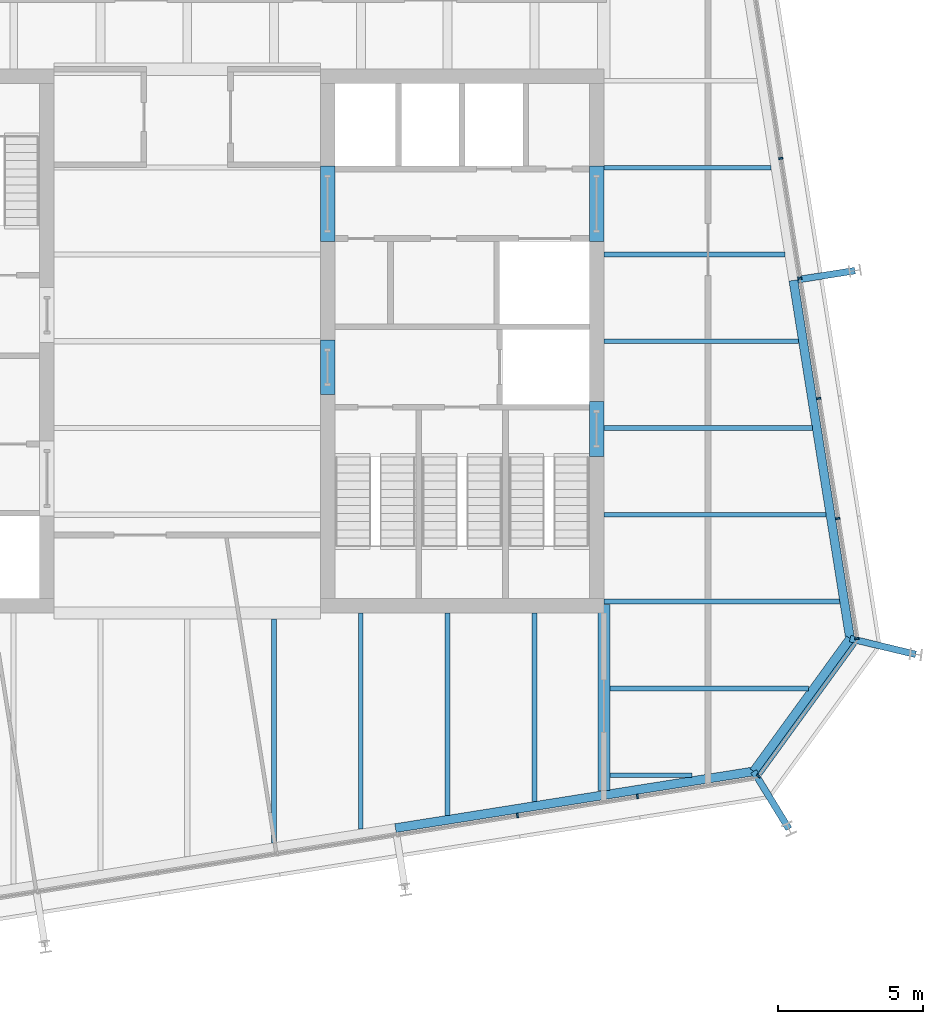
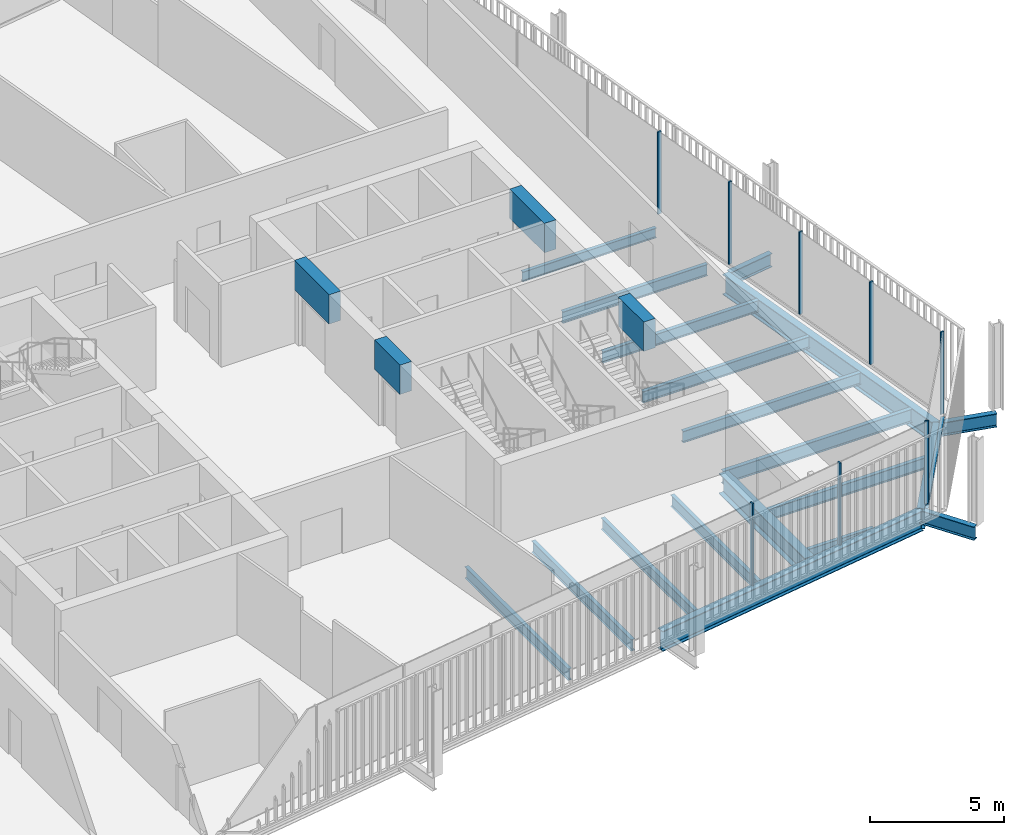
# One storey, part 8 of 20: 23 beams, 9 members, 3 elements without a shape of their own.
"""IFC4 building model written with IfcOpenShell, lengths in metres."""

import ifcopenshell
import ifcopenshell.guid

model = None  # the IFC model being written
_history = None  # IfcOwnerHistory: only IFC2X3 demands one
_inside = {}  # id of a spatial element -> (the spatial element, [elements in it])
_under = {}  # id of a project, library or spatial element -> (it, [spatial elements below it])
_declared = {}  # id of a project -> (the project, [libraries it declares])
_typed = {}  # id of a type object -> (the type object, [elements of that type])
_made_of = {}  # id of a material, layer set ... -> (it, [elements and type objects made of it])


def new_model(schema):
    """Start an empty IFC model of exactly this schema.

    Asked for "IFC4X3", IfcOpenShell would pick the latest addendum, in which some entities
    have other attributes; the version numbers below select the first issue.
    IFC2X3 requires an IfcOwnerHistory on every rooted entity: one is made here for all.
    """
    global model, _history
    if schema == "IFC4X3":
        model = ifcopenshell.file(schema_version=(4, 3, 0, 0))
    else:
        model = ifcopenshell.file(schema=schema)
    _inside.clear()
    _under.clear()
    _declared.clear()
    _typed.clear()
    _made_of.clear()
    _history = None
    if model.schema == "IFC2X3":
        org = make("IfcOrganization", Name="unknown")
        user = make(
            "IfcPersonAndOrganization",
            ThePerson=make("IfcPerson", FamilyName="unknown"),
            TheOrganization=org,
        )
        app = make(
            "IfcApplication",
            ApplicationDeveloper=org,
            Version="unknown",
            ApplicationFullName="unknown",
            ApplicationIdentifier="unknown",
        )
        _history = make(
            "IfcOwnerHistory",
            OwningUser=user,
            OwningApplication=app,
            ChangeAction="ADDED",
            CreationDate=0,
        )
    return model


def make(cls, **values):
    """One entity of the class cls with the attributes given. An attribute that is None is left unset."""
    return model.create_entity(
        cls, **{name: value for name, value in values.items() if value is not None}
    )


def rooted(cls, **values):
    """An entity with a GlobalId (a new one), such as an element, a storey or a relation."""
    return make(cls, GlobalId=ifcopenshell.guid.new(), OwnerHistory=_history, **values)


def si_unit(unit_type, name, prefix=None):
    """IfcSIUnit, for example si_unit("LENGTHUNIT", "METRE", prefix="MILLI")."""
    return make("IfcSIUnit", UnitType=unit_type, Prefix=prefix, Name=name)


def assignment(units):
    """IfcUnitAssignment: the units of a project."""
    return None if units is None else make("IfcUnitAssignment", Units=units)


def point(xyz):
    """IfcCartesianPoint."""
    return None if xyz is None else make("IfcCartesianPoint", Coordinates=xyz)


def direction(xyz):
    """IfcDirection."""
    return None if xyz is None else make("IfcDirection", DirectionRatios=xyz)


def frame(location, z_axis=None, x_axis=None):
    """IfcAxis2Placement3D, a coordinate frame: its origin and axes. An axis left out is left unset."""
    return make(
        "IfcAxis2Placement3D",
        Location=point(location),
        Axis=direction(z_axis),
        RefDirection=direction(x_axis),
    )


def frame_2d(location, x_axis=None):
    """IfcAxis2Placement2D, a coordinate frame in the plane: its origin and x axis."""
    return make(
        "IfcAxis2Placement2D", Location=point(location), RefDirection=direction(x_axis)
    )


def origin():
    """The frame at (0, 0, 0) with its axes left unset."""
    return frame((0.0, 0.0, 0.0))


def origin_2d():
    """The frame at (0, 0) in the plane with its x axis left unset."""
    return frame_2d((0.0, 0.0))


def place(relative_to, where):
    """IfcLocalPlacement: puts the frame where relative to a parent placement (None: the world)."""
    return make(
        "IfcLocalPlacement", PlacementRelTo=relative_to, RelativePlacement=where
    )


def context(
    kind, dimensions, precision=None, world=None, true_north=None, identifier=None
):
    """IfcGeometricRepresentationContext, for example the 3D "Model" context."""
    return make(
        "IfcGeometricRepresentationContext",
        ContextIdentifier=identifier,
        ContextType=kind,
        CoordinateSpaceDimension=dimensions,
        Precision=precision,
        WorldCoordinateSystem=world,
        TrueNorth=true_north,
    )


def subcontext(parent, identifier, kind, view, scale=None):
    """IfcGeometricRepresentationSubContext, for example "Body" below "Model"."""
    return make(
        "IfcGeometricRepresentationSubContext",
        ContextIdentifier=identifier,
        ContextType=kind,
        ParentContext=parent,
        TargetScale=scale,
        TargetView=view,
    )


def project(units=None, contexts=None):
    """IfcProject with its units and contexts."""
    return rooted(
        "IfcProject",
        Name="project",
        RepresentationContexts=contexts,
        UnitsInContext=assignment(units),
    )


def spatial(cls, under=None, at=None, **own):
    """A site, building, storey or space (cls), placed at a placement, below another one or the project."""
    s = rooted(cls, ObjectPlacement=at, **own)
    if under is not None:
        _under.setdefault(under.id(), (under, []))[1].append(s)
    return s


def profile(cls, at=None, kind="AREA", **sizes):
    """A parametric profile (cls). Its sizes go by their IFC names, for example OverallWidth=200.0."""
    return make(cls, ProfileType=kind, Position=at, **sizes)


def rectangle(**sizes):
    """IfcRectangleProfileDef."""
    return profile("IfcRectangleProfileDef", **sizes)


def i_section(**sizes):
    """IfcIShapeProfileDef."""
    return profile("IfcIShapeProfileDef", **sizes)


def extrude(swept, where, along, depth):
    """IfcExtrudedAreaSolid: the profile swept, set in the frame where, extruded along a direction by depth."""
    return make(
        "IfcExtrudedAreaSolid",
        SweptArea=swept,
        Position=where,
        ExtrudedDirection=direction(along),
        Depth=depth,
    )


def shape(context_of_items, identifier, shape_type, items):
    """IfcShapeRepresentation: the items that make up one representation, for example the "Body"."""
    return make(
        "IfcShapeRepresentation",
        ContextOfItems=context_of_items,
        RepresentationIdentifier=identifier,
        RepresentationType=shape_type,
        Items=items,
    )


def material(Name=None, Category=None):
    """IfcMaterial."""
    return make("IfcMaterial", Name=Name, Category=Category)


def layer(
    of_material, thickness, ventilated=None, Name=None, Category=None, Priority=None
):
    """IfcMaterialLayer: one layer of a wall or slab, of a material (None: an air gap)."""
    return make(
        "IfcMaterialLayer",
        Material=of_material,
        LayerThickness=thickness,
        IsVentilated=ventilated,
        Name=Name,
        Category=Category,
        Priority=Priority,
    )


def layer_set(layers, Name=None):
    """IfcMaterialLayerSet."""
    return make("IfcMaterialLayerSet", MaterialLayers=layers, LayerSetName=Name)


def material_profile(
    of_material, cross_section, Name=None, Category=None, Priority=None
):
    """IfcMaterialProfile: a cross section and its material."""
    return make(
        "IfcMaterialProfile",
        Name=Name,
        Material=of_material,
        Profile=cross_section,
        Priority=Priority,
        Category=Category,
    )


def profile_set(profiles, Name=None, composite=None):
    """IfcMaterialProfileSet."""
    return make(
        "IfcMaterialProfileSet",
        Name=Name,
        MaterialProfiles=profiles,
        CompositeProfile=composite,
    )


def made_of(thing, what):
    """Note that an element or type object is made of a material, layer set ...; save() writes the relation."""
    if what is not None:
        _made_of.setdefault(what.id(), (what, []))[1].append(thing)
    return thing


def type_object(cls, material=None, **own):
    """A type object (cls), such as IfcWallType, which elements share."""
    return made_of(rooted(cls, **own), material)


def element(
    cls,
    number,
    at=None,
    inside=None,
    cuts=None,
    type_object=None,
    material=None,
    context=None,
    identifier="Body",
    shape_type=None,
    held_by="IfcProductDefinitionShape",
    body=None,
    shapes=None,
    **own,
):
    """One element of the class cls, such as IfcWall. Its Tag is "e" and its number.

    at: its placement. inside: the storey or other place that contains it. cuts: it is an
    opening in that element (IfcRelVoidsElement). A single representation is given by context,
    identifier, shape_type and body (its items); several are given by shapes. held_by: the class
    of the entity that holds the representations. save() writes the other relations.
    """
    e = rooted(cls, Tag="e%d" % number, ObjectPlacement=at, **own)
    if body is not None:
        shapes = [shape(context, identifier, shape_type, body)]
    if shapes is not None:
        e.Representation = make(held_by, Representations=shapes)
    if inside is not None:
        _inside.setdefault(inside.id(), (inside, []))[1].append(e)
    if cuts is not None:
        rooted(
            "IfcRelVoidsElement", RelatingBuildingElement=cuts, RelatedOpeningElement=e
        )
    if type_object is not None:
        _typed.setdefault(type_object.id(), (type_object, []))[1].append(e)
    return made_of(e, material)


def aggregate(whole, parts):
    """IfcRelAggregates: a whole, such as a stair, and the parts it consists of."""
    return rooted("IfcRelAggregates", RelatingObject=whole, RelatedObjects=parts)


def save(model, path):
    """Write the relations noted so far, then the file.

    IfcRelAggregates (storeys below a building ...), IfcRelContainedInSpatialStructure (elements
    in a storey), IfcRelDefinesByType, IfcRelAssociatesMaterial and IfcRelDeclares: one each for
    every whole, place, type object, material and project.
    """
    for whole, parts in _under.values():
        aggregate(whole, parts)
    for where, things in _inside.values():
        rooted(
            "IfcRelContainedInSpatialStructure",
            RelatedElements=things,
            RelatingStructure=where,
        )
    for kind, things in _typed.values():
        rooted("IfcRelDefinesByType", RelatedObjects=things, RelatingType=kind)
    for what, things in _made_of.values():
        rooted("IfcRelAssociatesMaterial", RelatedObjects=things, RelatingMaterial=what)
    for by, libraries in _declared.values():
        rooted("IfcRelDeclares", RelatingContext=by, RelatedDefinitions=libraries)
    model.write(path)


model = new_model("IFC4")

# Units and contexts
model_context = context("Model", 3, precision=1e-05, world=origin(), true_north=direction((0.0, 1.0)))
body_context = subcontext(model_context, "Body", "Model", "MODEL_VIEW")
ifc_project = project(units=[si_unit("LENGTHUNIT", "METRE"), si_unit("AREAUNIT", "SQUARE_METRE"), si_unit("VOLUMEUNIT", "CUBIC_METRE"), si_unit("PLANEANGLEUNIT", "RADIAN"), si_unit("MASSUNIT", "GRAM", prefix="KILO")], contexts=[model_context])

# Site, building, storey
site_placement = place(None, origin())
site = spatial("IfcSite", under=ifc_project, at=site_placement, CompositionType="ELEMENT")
building_placement = place(site_placement, origin())
building = spatial("IfcBuilding", under=site, at=building_placement, Name="Millrace Tower", CompositionType="ELEMENT")
storey_placement = place(building_placement, frame((0.0, 0.0, 251.300048828125)))
storey = spatial("IfcBuildingStorey", under=building, at=storey_placement, Name="L57", CompositionType="ELEMENT", Elevation=251.300048828125)

# Curtain wall, members
ifc_material_1 = material(Name="Aluminium and glass", Category="aluminium")
ifc_layer = layer(ifc_material_1, 0.14990234375)
ifc_layer_set = layer_set([ifc_layer], Name="Aluminium and glass")
curtain_wall_type = type_object("IfcCurtainWallType", Name="CW-1 office vision curtain wall", PredefinedType="NOTDEFINED", material=ifc_layer_set)
placement = place(storey_placement, origin())
curtain_wall_1 = element("IfcCurtainWall", 1, at=placement, inside=storey, type_object=curtain_wall_type, Name="Curtain wall D-F02 L57", PredefinedType="NOTDEFINED")
ifc_material_2 = material(Name="Aluminium", Category="aluminium")
ifc_material_profile_1 = material_profile(ifc_material_2, rectangle(XDim=0.06494140625, YDim=0.14990234375, at=origin_2d()))
ifc_profile_set_1 = profile_set([ifc_material_profile_1], Name="Aluminium")
member_type_1 = type_object("IfcMemberType", Name="CW-1 office vision curtain wall mullion", PredefinedType="MULLION", material=ifc_profile_set_1)
member_1_placement = place(storey_placement, frame((11.41259765625, -16.393310546875, 0.139892578125), z_axis=(0.0, 0.0, 1.0), x_axis=(0.987688339511, 0.156434471884, 0.0)))
member_1 = element("IfcMember", 2, at=member_1_placement, type_object=member_type_1, Name="CW1 mullion D-F02.8", PredefinedType="MULLION", context=body_context, shape_type="SweptSolid", body=[
    extrude(rectangle(XDim=0.06494140625, YDim=0.14990234375, at=origin_2d()), origin(), (0.0, 0.0, 1.0), 3.760009765625),
])
member_2_placement = place(storey_placement, frame((15.560791015625, -15.736328125, 0.139892578125), z_axis=(0.0, 0.0, 1.0), x_axis=(0.987688339511, 0.156434471884, 0.0)))
member_2 = element("IfcMember", 3, at=member_2_placement, type_object=member_type_1, Name="CW1 mullion D-F02.9", PredefinedType="MULLION", context=body_context, shape_type="SweptSolid", body=[
    extrude(rectangle(XDim=0.06494140625, YDim=0.14990234375, at=origin_2d()), origin(), (0.0, 0.0, 1.0), 3.760009765625),
])
aggregate(curtain_wall_1, [member_1, member_2])

# Curtain wall, member
curtain_wall_2 = element("IfcCurtainWall", 4, at=placement, inside=storey, type_object=curtain_wall_type, Name="Curtain wall D-F03 L57", PredefinedType="NOTDEFINED")
member_3_placement = place(storey_placement, frame((19.7451171875, -15.028076171875, 0.139892578125), z_axis=(0.0, 0.0, 1.0), x_axis=(0.587785305991, 0.809016955361, 0.0)))
member_3 = element("IfcMember", 5, at=member_3_placement, type_object=member_type_1, Name="CW1 mullion D-F03.1", PredefinedType="MULLION", context=body_context, shape_type="SweptSolid", body=[
    extrude(rectangle(XDim=0.06494140625, YDim=0.14990234375, at=origin_2d()), origin(), (0.0, 0.0, 1.0), 3.760009765625),
])

# Curtain wall, members
curtain_wall_3 = element("IfcCurtainWall", 6, at=placement, inside=storey, type_object=curtain_wall_type, Name="Curtain wall D-F04 L57", PredefinedType="NOTDEFINED")
member_4_placement = place(storey_placement, frame((23.142333984375, -10.275390625, 0.139892578125), z_axis=(0.0, 0.0, 1.0), x_axis=(-0.156434471884, 0.987688339511, 0.0)))
member_4 = element("IfcMember", 7, at=member_4_placement, type_object=member_type_1, Name="CW1 mullion D-F04.1", PredefinedType="MULLION", context=body_context, shape_type="SweptSolid", body=[
    extrude(rectangle(XDim=0.06494140625, YDim=0.14990234375, at=origin_2d()), origin(), (0.0, 0.0, 1.0), 3.760009765625),
])
member_5_placement = place(storey_placement, frame((22.4853515625, -6.127197265625, 0.139892578125), z_axis=(0.0, 0.0, 1.0), x_axis=(-0.156434471884, 0.987688339511, 0.0)))
member_5 = element("IfcMember", 8, at=member_5_placement, type_object=member_type_1, Name="CW1 mullion D-F04.2", PredefinedType="MULLION", context=body_context, shape_type="SweptSolid", body=[
    extrude(rectangle(XDim=0.06494140625, YDim=0.14990234375, at=origin_2d()), origin(), (0.0, 0.0, 1.0), 3.760009765625),
])
member_6_placement = place(storey_placement, frame((21.828369140625, -1.97900390625, 0.139892578125), z_axis=(0.0, 0.0, 1.0), x_axis=(-0.156434471884, 0.987688339511, 0.0)))
member_6 = element("IfcMember", 9, at=member_6_placement, type_object=member_type_1, Name="CW1 mullion D-F04.3", PredefinedType="MULLION", context=body_context, shape_type="SweptSolid", body=[
    extrude(rectangle(XDim=0.06494140625, YDim=0.14990234375, at=origin_2d()), origin(), (0.0, 0.0, 1.0), 3.760009765625),
])
member_7_placement = place(storey_placement, frame((21.17138671875, 2.16943359375, 0.139892578125), z_axis=(0.0, 0.0, 1.0), x_axis=(-0.156434471884, 0.987688339511, 0.0)))
member_7 = element("IfcMember", 10, at=member_7_placement, type_object=member_type_1, Name="CW1 mullion D-F04.4", PredefinedType="MULLION", context=body_context, shape_type="SweptSolid", body=[
    extrude(rectangle(XDim=0.06494140625, YDim=0.14990234375, at=origin_2d()), origin(), (0.0, 0.0, 1.0), 3.760009765625),
])
member_8_placement = place(storey_placement, frame((20.514404296875, 6.317626953125, 0.139892578125), z_axis=(0.0, 0.0, 1.0), x_axis=(-0.156434471884, 0.987688339511, 0.0)))
member_8 = element("IfcMember", 11, at=member_8_placement, type_object=member_type_1, Name="CW1 mullion D-F04.5", PredefinedType="MULLION", context=body_context, shape_type="SweptSolid", body=[
    extrude(rectangle(XDim=0.06494140625, YDim=0.14990234375, at=origin_2d()), origin(), (0.0, 0.0, 1.0), 3.760009765625),
])
aggregate(curtain_wall_3, [member_4, member_5, member_6, member_7, member_8])

# Member
ifc_material_3 = material(Name="Aluminium", Category="aluminium")
ifc_material_profile_2 = material_profile(ifc_material_3, rectangle(XDim=0.14990234375, YDim=0.139892578125, at=origin_2d()))
ifc_profile_set_2 = profile_set([ifc_material_profile_2], Name="Aluminium")
member_type_2 = type_object("IfcMemberType", Name="CW-1 office vision curtain wall transom", PredefinedType="USERDEFINED", material=ifc_profile_set_2)
member_9_placement = place(storey_placement, frame((19.78466796875, -14.973388671875, 0.070068359375), z_axis=(0.587811213399, 0.808998131891, 0.0), x_axis=(-0.808998131891, 0.587811213399, 0.0)))
member_9 = element("IfcMember", 12, at=member_9_placement, type_object=member_type_2, Name="CW1 transom D-F03.1", ObjectType="TRANSOM", PredefinedType="USERDEFINED", context=body_context, shape_type="SweptSolid", body=[
    extrude(rectangle(XDim=0.14990234375, YDim=0.139892578125, at=origin_2d()), origin(), (0.0, 0.0, 1.0), 5.598388671875),
])

aggregate(curtain_wall_2, [member_3, member_9])

# Beams
ifc_material_4 = material(Name="Concrete C60", Category="concrete")
ifc_material_profile_3 = material_profile(ifc_material_4, rectangle(XDim=0.5, YDim=1.340087890625, at=origin_2d()))
ifc_profile_set_3 = profile_set([ifc_material_profile_3], Name="Concrete C60")
beam_type_1 = type_object("IfcBeamType", Name="Coupling beam 500 x 1340 Concrete C60, 1300 opening", PredefinedType="BEAM", material=ifc_profile_set_3)
beam_1_placement = place(storey_placement, frame((14.14990234375, -2.080078125, 3.070068359375), z_axis=(0.0, -1.0, 0.0), x_axis=(1.0, 0.0, 0.0)))
element("IfcBeam", 13, at=beam_1_placement, inside=storey, type_object=beam_type_1, Name="Coupling beam E L57", PredefinedType="BEAM", context=body_context, shape_type="SweptSolid", body=[
    extrude(rectangle(XDim=0.5, YDim=1.340087890625, at=origin_2d()), origin(), (0.0, 0.0, 1.0), 1.89990234375),
])
beam_2_placement = place(storey_placement, frame((4.85009765625, 0.050048828125, 3.070068359375), z_axis=(0.0, -1.0, 0.0), x_axis=(1.0, 0.0, 0.0)))
element("IfcBeam", 14, at=beam_2_placement, inside=storey, type_object=beam_type_1, Name="Coupling beam E L57", PredefinedType="BEAM", context=body_context, shape_type="SweptSolid", body=[
    extrude(rectangle(XDim=0.5, YDim=1.340087890625, at=origin_2d()), origin(), (0.0, 0.0, 1.0), 1.900146484375),
])
ifc_material_5 = material(Name="Concrete C60", Category="concrete")
ifc_material_profile_4 = material_profile(ifc_material_5, rectangle(XDim=0.5, YDim=1.340087890625, at=origin_2d()))
ifc_profile_set_4 = profile_set([ifc_material_profile_4], Name="Concrete C60")
beam_type_2 = type_object("IfcBeamType", Name="Coupling beam 500 x 1340 Concrete C60, 2000 opening", PredefinedType="BEAM", material=ifc_profile_set_4)
for number, where, z_axis, x_axis, name in (
    (15, (14.14990234375, 6.050048828125, 3.070068359375), (0.0, -1.0, 0.0), (1.0, 0.0, 0.0), "Coupling beam E L57"),
    (16, (4.85009765625, 6.050048828125, 3.070068359375), (0.0, -1.0, 0.0), (1.0, 0.0, 0.0), "Coupling beam E L57"),
):
    element("IfcBeam", number, at=place(storey_placement, frame(where, z_axis=z_axis, x_axis=x_axis)), inside=storey, type_object=beam_type_2, Name=name, PredefinedType="BEAM", context=body_context, shape_type="SweptSolid", body=[
        extrude(rectangle(XDim=0.5, YDim=1.340087890625, at=origin_2d()), origin(), (0.0, 0.0, 1.0), 2.60009765625),
    ])
ifc_material_6 = material(Name="Steel ASTM A992 Grade 50", Category="steel")
ifc_material_profile_5 = material_profile(ifc_material_6, i_section(OverallWidth=0.15234375, OverallDepth=0.449462890625, WebThickness=0.007568359375, FlangeThickness=0.0107421875, FilletRadius=0.01025390625, at=origin_2d()))
ifc_profile_set_5 = profile_set([ifc_material_profile_5], Name="Steel ASTM A992 Grade 50")
beam_type_3 = type_object("IfcBeamType", Name="Floor beam W18x35", PredefinedType="JOIST", material=ifc_profile_set_5)
beam_3_placement = place(storey_placement, frame((14.39990234375, 6.0, -0.384765625), z_axis=(1.0, 0.0, 0.0), x_axis=(0.0, 1.0, 0.0)))
element("IfcBeam", 17, at=beam_3_placement, inside=storey, type_object=beam_type_3, Name="BM-D-L57-S1-S022", PredefinedType="JOIST", context=body_context, shape_type="SweptSolid", body=[
    extrude(i_section(OverallWidth=0.15234375, OverallDepth=0.449462890625, WebThickness=0.007568359375, FlangeThickness=0.0107421875, FilletRadius=0.01025390625, at=origin_2d()), origin(), (0.0, 0.0, 1.0), 5.777587890625),
])
beam_4_placement = place(storey_placement, frame((14.609619140625, -15.0, -0.384765625), z_axis=(1.0, 0.0, 0.0), x_axis=(0.0, 1.0, 0.0)))
element("IfcBeam", 18, at=beam_4_placement, inside=storey, type_object=beam_type_3, Name="BM-D-L57-S1-S003", PredefinedType="JOIST", context=body_context, shape_type="SweptSolid", body=[
    extrude(i_section(OverallWidth=0.15234375, OverallDepth=0.449462890625, WebThickness=0.007568359375, FlangeThickness=0.0107421875, FilletRadius=0.01025390625, at=origin_2d()), origin(), (0.0, 0.0, 1.0), 2.839599609375),
])
ifc_material_7 = material(Name="Steel ASTM A992 Grade 50", Category="steel")
ifc_material_profile_6 = material_profile(ifc_material_7, i_section(OverallWidth=0.1650390625, OverallDepth=0.52587890625, WebThickness=0.0087890625, FlangeThickness=0.011474609375, FilletRadius=0.0126953125, at=origin_2d()))
ifc_profile_set_6 = profile_set([ifc_material_profile_6], Name="Steel ASTM A992 Grade 50")
beam_type_4 = type_object("IfcBeamType", Name="Floor beam W21x44", PredefinedType="JOIST", material=ifc_profile_set_6)
beam_5_placement = place(storey_placement, frame((14.609619140625, -12.0, -0.4228515625), z_axis=(1.0, 0.0, 0.0), x_axis=(0.0, 1.0, 0.0)))
element("IfcBeam", 19, at=beam_5_placement, inside=storey, type_object=beam_type_4, Name="BM-D-L57-S1-S005", PredefinedType="JOIST", context=body_context, shape_type="SweptSolid", body=[
    extrude(i_section(OverallWidth=0.1650390625, OverallDepth=0.52587890625, WebThickness=0.0087890625, FlangeThickness=0.011474609375, FilletRadius=0.0126953125, at=origin_2d()), origin(), (0.0, 0.0, 1.0), 6.86279296875),
])
beam_6_placement = place(storey_placement, frame((14.39990234375, -6.0, -0.4228515625), z_axis=(1.0, 0.0, 0.0), x_axis=(0.0, 1.0, 0.0)))
element("IfcBeam", 20, at=beam_6_placement, inside=storey, type_object=beam_type_4, Name="BM-D-L57-S1-S010", PredefinedType="JOIST", context=body_context, shape_type="SweptSolid", body=[
    extrude(i_section(OverallWidth=0.1650390625, OverallDepth=0.52587890625, WebThickness=0.0087890625, FlangeThickness=0.011474609375, FilletRadius=0.0126953125, at=origin_2d()), origin(), (0.0, 0.0, 1.0), 7.67822265625),
])
beam_7_placement = place(storey_placement, frame((14.39990234375, -3.0, -0.4228515625), z_axis=(1.0, 0.0, 0.0), x_axis=(0.0, 1.0, 0.0)))
element("IfcBeam", 21, at=beam_7_placement, inside=storey, type_object=beam_type_4, Name="BM-D-L57-S1-S013", PredefinedType="JOIST", context=body_context, shape_type="SweptSolid", body=[
    extrude(i_section(OverallWidth=0.1650390625, OverallDepth=0.52587890625, WebThickness=0.0087890625, FlangeThickness=0.011474609375, FilletRadius=0.0126953125, at=origin_2d()), origin(), (0.0, 0.0, 1.0), 7.203125),
])
beam_8_placement = place(storey_placement, frame((14.39990234375, 0.0, -0.4228515625), z_axis=(1.0, 0.0, 0.0), x_axis=(0.0, 1.0, 0.0)))
element("IfcBeam", 22, at=beam_8_placement, inside=storey, type_object=beam_type_4, Name="BM-D-L57-S1-S016", PredefinedType="JOIST", context=body_context, shape_type="SweptSolid", body=[
    extrude(i_section(OverallWidth=0.1650390625, OverallDepth=0.52587890625, WebThickness=0.0087890625, FlangeThickness=0.011474609375, FilletRadius=0.0126953125, at=origin_2d()), origin(), (0.0, 0.0, 1.0), 6.72802734375),
])
beam_9_placement = place(storey_placement, frame((14.39990234375, 3.0, -0.4228515625), z_axis=(1.0, 0.0, 0.0), x_axis=(0.0, 1.0, 0.0)))
element("IfcBeam", 23, at=beam_9_placement, inside=storey, type_object=beam_type_4, Name="BM-D-L57-S1-S019", PredefinedType="JOIST", context=body_context, shape_type="SweptSolid", body=[
    extrude(i_section(OverallWidth=0.1650390625, OverallDepth=0.52587890625, WebThickness=0.0087890625, FlangeThickness=0.011474609375, FilletRadius=0.0126953125, at=origin_2d()), origin(), (0.0, 0.0, 1.0), 6.252685546875),
])
beam_10_placement = place(storey_placement, frame((3.0, -17.338623046875, -0.4228515625), z_axis=(0.0, 1.0, 0.0), x_axis=(-1.0, 0.0, 0.0)))
element("IfcBeam", 24, at=beam_10_placement, inside=storey, type_object=beam_type_4, Name="BM-D-L57-S1-S047", PredefinedType="JOIST", context=body_context, shape_type="SweptSolid", body=[
    extrude(i_section(OverallWidth=0.1650390625, OverallDepth=0.52587890625, WebThickness=0.0087890625, FlangeThickness=0.011474609375, FilletRadius=0.0126953125, at=origin_2d()), origin(), (0.0, 0.0, 1.0), 7.72900390625),
])
beam_11_placement = place(storey_placement, frame((6.0, -16.863525390625, -0.4228515625), z_axis=(0.0, 1.0, 0.0), x_axis=(-1.0, 0.0, 0.0)))
element("IfcBeam", 25, at=beam_11_placement, inside=storey, type_object=beam_type_4, Name="BM-D-L57-S1-S049", PredefinedType="JOIST", context=body_context, shape_type="SweptSolid", body=[
    extrude(i_section(OverallWidth=0.1650390625, OverallDepth=0.52587890625, WebThickness=0.0087890625, FlangeThickness=0.011474609375, FilletRadius=0.0126953125, at=origin_2d()), origin(), (0.0, 0.0, 1.0), 7.463623046875),
])
beam_12_placement = place(storey_placement, frame((9.0, -16.38818359375, -0.4228515625), z_axis=(0.0, 1.0, 0.0), x_axis=(-1.0, 0.0, 0.0)))
element("IfcBeam", 26, at=beam_12_placement, inside=storey, type_object=beam_type_4, Name="BM-D-L57-S1-S051", PredefinedType="JOIST", context=body_context, shape_type="SweptSolid", body=[
    extrude(i_section(OverallWidth=0.1650390625, OverallDepth=0.52587890625, WebThickness=0.0087890625, FlangeThickness=0.011474609375, FilletRadius=0.0126953125, at=origin_2d()), origin(), (0.0, 0.0, 1.0), 6.98828125),
])
beam_13_placement = place(storey_placement, frame((12.0, -15.9130859375, -0.4228515625), z_axis=(0.0, 1.0, 0.0), x_axis=(-1.0, 0.0, 0.0)))
element("IfcBeam", 27, at=beam_13_placement, inside=storey, type_object=beam_type_4, Name="BM-D-L57-S1-S053", PredefinedType="JOIST", context=body_context, shape_type="SweptSolid", body=[
    extrude(i_section(OverallWidth=0.1650390625, OverallDepth=0.52587890625, WebThickness=0.0087890625, FlangeThickness=0.011474609375, FilletRadius=0.0126953125, at=origin_2d()), origin(), (0.0, 0.0, 1.0), 6.51318359375),
])
ifc_material_8 = material(Name="Steel ASTM A992 Grade 50", Category="steel")
ifc_material_profile_7 = material_profile(ifc_material_8, i_section(OverallWidth=0.177978515625, OverallDepth=0.599365234375, WebThickness=0.010009765625, FlangeThickness=0.012939453125, FilletRadius=0.012939453125, at=origin_2d()))
ifc_profile_set_7 = profile_set([ifc_material_profile_7], Name="Steel ASTM A992 Grade 50")
beam_type_5 = type_object("IfcBeamType", Name="Floor beam W24x55", PredefinedType="JOIST", material=ifc_profile_set_7)
beam_14_placement = place(storey_placement, frame((14.39990234375, -9.0, -0.459716796875), z_axis=(1.0, 0.0, 0.0), x_axis=(0.0, 1.0, 0.0)))
element("IfcBeam", 28, at=beam_14_placement, inside=storey, type_object=beam_type_5, Name="BM-D-L57-S1-S007", PredefinedType="JOIST", context=body_context, shape_type="SweptSolid", body=[
    extrude(i_section(OverallWidth=0.177978515625, OverallDepth=0.599365234375, WebThickness=0.010009765625, FlangeThickness=0.012939453125, FilletRadius=0.012939453125, at=origin_2d()), origin(), (0.0, 0.0, 1.0), 8.1533203125),
])
ifc_material_9 = material(Name="Steel ASTM A992 Grade 50", Category="steel")
ifc_material_profile_8 = material_profile(ifc_material_9, i_section(OverallWidth=0.419189453125, OverallDepth=0.927001953125, WebThickness=0.019287109375, FlangeThickness=0.031982421875, FilletRadius=0.024169921875, at=origin_2d()))
ifc_profile_set_8 = profile_set([ifc_material_profile_8], Name="Steel ASTM A992 Grade 50")
beam_type_6 = type_object("IfcBeamType", Name="Girder short span W36x231", PredefinedType="BEAM", material=ifc_profile_set_8)
beam_15_placement = place(storey_placement, frame((14.39990234375, -15.52490234375, -0.62353515625), z_axis=(0.0, 1.0, 0.0), x_axis=(-1.0, 0.0, 0.0)))
element("IfcBeam", 29, at=beam_15_placement, inside=storey, type_object=beam_type_6, Name="BM-D-L57-S1-G057", PredefinedType="BEAM", context=body_context, shape_type="SweptSolid", body=[
    extrude(i_section(OverallWidth=0.419189453125, OverallDepth=0.927001953125, WebThickness=0.019287109375, FlangeThickness=0.031982421875, FilletRadius=0.024169921875, at=origin_2d()), origin(), (0.0, 0.0, 1.0), 6.432861328125),
])
ifc_material_10 = material(Name="Steel ASTM A992 Grade 50", Category="steel")
ifc_material_profile_9 = material_profile(ifc_material_10, i_section(OverallWidth=0.23046875, OverallDepth=0.6171875, WebThickness=0.01318359375, FlangeThickness=0.022216796875, FilletRadius=0.012939453125, at=origin_2d()))
ifc_profile_set_9 = profile_set([ifc_material_profile_9], Name="Steel ASTM A992 Grade 50")
beam_type_7 = type_object("IfcBeamType", Name="Link beam W24x94", PredefinedType="BEAM", material=ifc_profile_set_9)
beam_16_placement = place(storey_placement, frame((21.102294921875, 2.12548828125, -0.46875), z_axis=(0.987678691416, 0.156495375404, 0.0), x_axis=(-0.156495375404, 0.987678691416, 0.0)))
element("IfcBeam", 30, at=beam_16_placement, inside=storey, type_object=beam_type_7, Name="LNK-D-L57-S1-11", PredefinedType="BEAM", context=body_context, shape_type="SweptSolid", body=[
    extrude(i_section(OverallWidth=0.23046875, OverallDepth=0.6171875, WebThickness=0.01318359375, FlangeThickness=0.022216796875, FilletRadius=0.012939453125, at=origin_2d()), origin(), (0.0, 0.0, 1.0), 2.0),
])
beam_17_placement = place(storey_placement, frame((22.91162109375, -10.280517578125, -0.46875), z_axis=(0.972373041068, -0.233432364948, 0.0), x_axis=(0.233432364948, 0.972373041068, 0.0)))
element("IfcBeam", 31, at=beam_17_placement, inside=storey, type_object=beam_type_7, Name="LNK-D-L57-S1-12", PredefinedType="BEAM", context=body_context, shape_type="SweptSolid", body=[
    extrude(i_section(OverallWidth=0.23046875, OverallDepth=0.6171875, WebThickness=0.01318359375, FlangeThickness=0.022216796875, FilletRadius=0.012939453125, at=origin_2d()), origin(), (0.0, 0.0, 1.0), 2.331298828125),
])
beam_18_placement = place(storey_placement, frame((19.578369140625, -14.868408203125, -0.46875), z_axis=(0.522512938711, -0.852631355792, 0.0), x_axis=(0.852631355792, 0.522512938711, 0.0)))
element("IfcBeam", 32, at=beam_18_placement, inside=storey, type_object=beam_type_7, Name="LNK-D-L57-S1-13", PredefinedType="BEAM", context=body_context, shape_type="SweptSolid", body=[
    extrude(i_section(OverallWidth=0.23046875, OverallDepth=0.6171875, WebThickness=0.01318359375, FlangeThickness=0.022216796875, FilletRadius=0.012939453125, at=origin_2d()), origin(), (0.0, 0.0, 1.0), 2.3310546875),
])
ifc_material_11 = material(Name="Steel ASTM A992 Grade 50", Category="steel")
ifc_material_profile_10 = material_profile(ifc_material_11, i_section(OverallWidth=0.307373046875, OverallDepth=0.927001953125, WebThickness=0.01953125, FlangeThickness=0.031982421875, FilletRadius=0.01904296875, at=origin_2d()))
ifc_profile_set_10 = profile_set([ifc_material_profile_10], Name="Steel ASTM A992 Grade 50")
beam_type_8 = type_object("IfcBeamType", Name="Ring beam medium span W36x194", PredefinedType="SPANDREL", material=ifc_profile_set_10)
for number, where, z_axis, x_axis, name in (
    (33, (20.95068359375, 2.1015625, -0.62353515625), (0.156419577072, -0.987690698503, 0.0), (0.987690698503, 0.156419577072, 0.0), "RNG-D-L57-S1-11"),
    (34, (19.578369140625, -14.868408203125, -0.62353515625), (-0.987687689625, -0.156438575049, 0.0), (0.156438575049, -0.987687689625, 0.0), "RNG-D-L57-S1-13"),
):
    element("IfcBeam", number, at=place(storey_placement, frame(where, z_axis=z_axis, x_axis=x_axis)), inside=storey, type_object=beam_type_8, Name=name, PredefinedType="SPANDREL", context=body_context, shape_type="SweptSolid", body=[
        extrude(i_section(OverallWidth=0.307373046875, OverallDepth=0.927001953125, WebThickness=0.01953125, FlangeThickness=0.031982421875, FilletRadius=0.01904296875, at=origin_2d()), origin(), (0.0, 0.0, 1.0), 12.536376953125),
    ])
ifc_material_12 = material(Name="Steel ASTM A992 Grade 50", Category="steel")
ifc_material_profile_11 = material_profile(ifc_material_12, i_section(OverallWidth=0.307373046875, OverallDepth=0.927001953125, WebThickness=0.01953125, FlangeThickness=0.031982421875, FilletRadius=0.01904296875, at=origin_2d()))
ifc_profile_set_11 = profile_set([ifc_material_profile_11], Name="Steel ASTM A992 Grade 50")
beam_type_9 = type_object("IfcBeamType", Name="Ring beam short span W36x194", PredefinedType="SPANDREL", material=ifc_profile_set_11)
beam_19_placement = place(storey_placement, frame((22.91162109375, -10.280517578125, -0.62353515625), z_axis=(-0.587779977844, -0.80902082646, 0.0), x_axis=(0.80902082646, -0.587779977844, 0.0)))
element("IfcBeam", 35, at=beam_19_placement, inside=storey, type_object=beam_type_9, Name="RNG-D-L57-S1-12", PredefinedType="SPANDREL", context=body_context, shape_type="SweptSolid", body=[
    extrude(i_section(OverallWidth=0.307373046875, OverallDepth=0.927001953125, WebThickness=0.01953125, FlangeThickness=0.031982421875, FilletRadius=0.01904296875, at=origin_2d()), origin(), (0.0, 0.0, 1.0), 5.6708984375),
])

save(model, "model.ifc")
